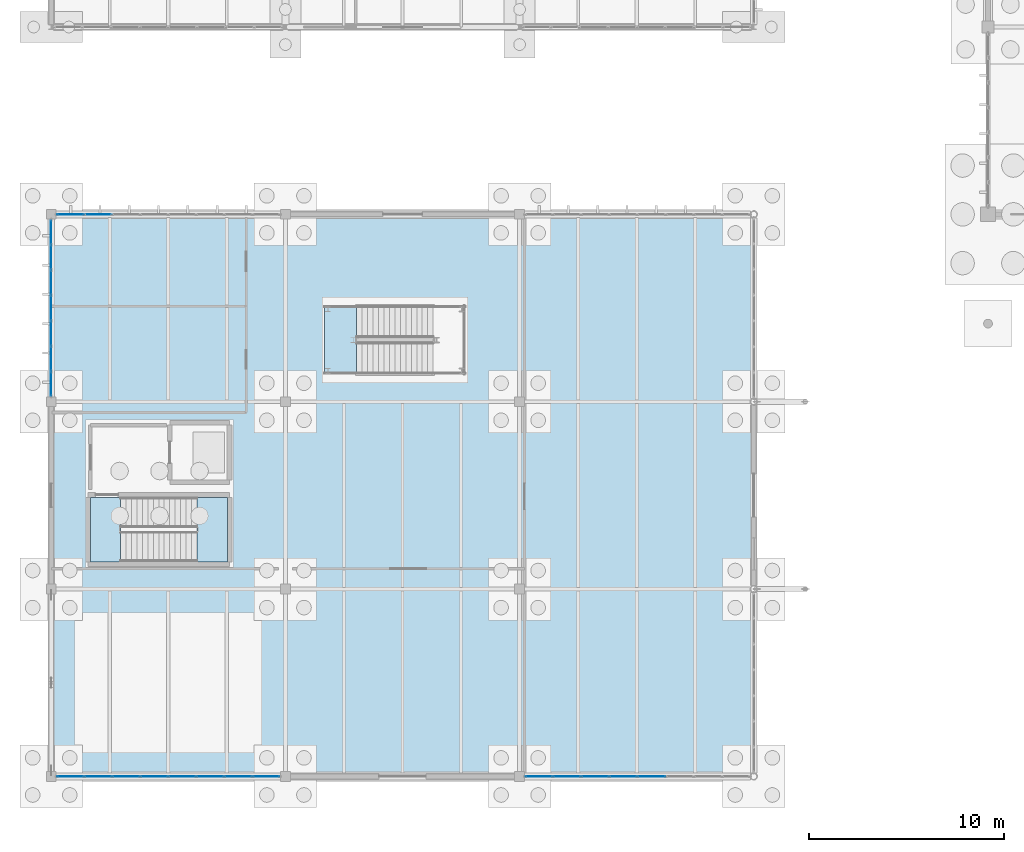
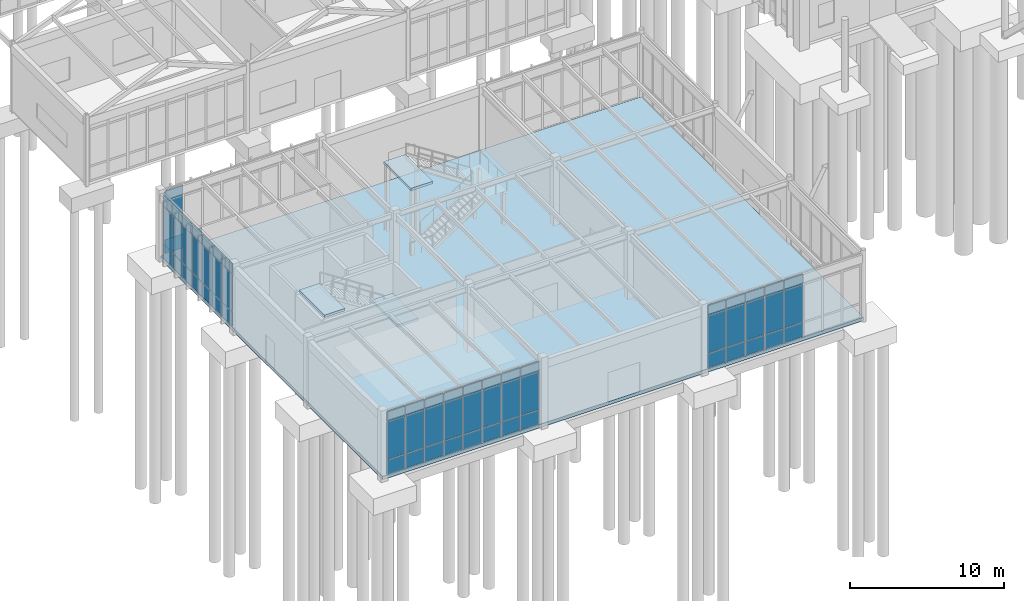
# One storey, part 128 of 188: 64 plates, 4 slabs, 6 elements without a shape of their own.
"""IFC4 building model written with IfcOpenShell, lengths in metres."""

from ifc_helpers import new_model, si_unit, direction, frame, origin, origin_2d, place, context, subcontext, project, spatial, polyline, rectangle, outline, extrude, material, layer, layer_set, type_object, element, aggregate, save


model = new_model("IFC4")

# Units and contexts
model_context = context("Model", 3, precision=1e-05, world=origin(), true_north=direction((0.0, 1.0)))
body_context = subcontext(model_context, "Body", "Model", "MODEL_VIEW")
ifc_project = project(units=[si_unit("LENGTHUNIT", "METRE"), si_unit("AREAUNIT", "SQUARE_METRE"), si_unit("VOLUMEUNIT", "CUBIC_METRE"), si_unit("PLANEANGLEUNIT", "RADIAN"), si_unit("MASSUNIT", "GRAM", prefix="KILO")], contexts=[model_context])

# Site, building, storey
site_placement = place(None, origin())
site = spatial("IfcSite", under=ifc_project, at=site_placement, CompositionType="ELEMENT")
building_placement = place(site_placement, origin())
building = spatial("IfcBuilding", under=site, at=building_placement, Name="Pandanus Reach Market Hall", CompositionType="ELEMENT")
storey_placement = place(building_placement, origin())
storey = spatial("IfcBuildingStorey", under=building, at=storey_placement, Name="L00", CompositionType="ELEMENT", Elevation=0.0)

# Curtain wall, plates
ifc_material_1 = material(Name="Bronze anodised aluminium and low-E glass", Category="aluminium")
ifc_layer_1 = layer(ifc_material_1, 0.159912109375, Name="CW-09")
ifc_layer_set_1 = layer_set([ifc_layer_1], Name="Bronze anodised aluminium and low-E glass")
curtain_wall_type_1 = type_object("IfcCurtainWallType", Name="CW-09", PredefinedType="NOTDEFINED", material=ifc_layer_set_1)
curtain_wall_1_placement = place(storey_placement, origin())
curtain_wall_1 = element("IfcCurtainWall", 1, at=curtain_wall_1_placement, inside=storey, type_object=curtain_wall_type_1, Name="Glazed curtain wall CW-09 CW-0047", PredefinedType="NOTDEFINED")
ifc_material_2 = material(Name="Solar-control double glazing", Category="glass")
ifc_layer_2 = layer(ifc_material_2, 0.028076171875, Name="CW-P1")
ifc_layer_set_2 = layer_set([ifc_layer_2], Name="Solar-control double glazing")
plate_type = type_object("IfcPlateType", Name="CW-P1", PredefinedType="CURTAIN_PANEL", material=ifc_layer_set_2)
plate_1_placement = place(storey_placement, frame((0.985107421875, 0.0, 0.06494140625), z_axis=(0.0, 0.0, 1.0), x_axis=(1.0, 0.0, 0.0)))
plate_1 = element("IfcPlate", 2, at=plate_1_placement, type_object=plate_type, Name="CW-09 panel 1.1", PredefinedType="CURTAIN_PANEL", context=body_context, shape_type="SweptSolid", body=[
    extrude(rectangle(XDim=1.340087890625, YDim=0.028076171875, at=origin_2d()), origin(), (0.0, 0.0, 1.0), 1.1025390625),
])
plate_2_placement = place(storey_placement, frame((0.985107421875, 0.0, 1.232421875), z_axis=(0.0, 0.0, 1.0), x_axis=(1.0, 0.0, 0.0)))
plate_2 = element("IfcPlate", 3, at=plate_2_placement, type_object=plate_type, Name="CW-09 panel 1.2", PredefinedType="CURTAIN_PANEL", context=body_context, shape_type="SweptSolid", body=[
    extrude(rectangle(XDim=1.340087890625, YDim=0.028076171875, at=origin_2d()), origin(), (0.0, 0.0, 1.0), 2.93505859375),
])
plate_3_placement = place(storey_placement, frame((0.985107421875, 0.0, 4.232421875), z_axis=(0.0, 0.0, 1.0), x_axis=(1.0, 0.0, 0.0)))
plate_3 = element("IfcPlate", 4, at=plate_3_placement, type_object=plate_type, Name="CW-09 panel 1.3", PredefinedType="CURTAIN_PANEL", context=body_context, shape_type="SweptSolid", body=[
    extrude(rectangle(XDim=1.340087890625, YDim=0.028076171875, at=origin_2d()), origin(), (0.0, 0.0, 1.0), 0.802490234375),
])
plate_4_placement = place(storey_placement, frame((2.40625, 0.0, 0.06494140625), z_axis=(0.0, 0.0, 1.0), x_axis=(1.0, 0.0, 0.0)))
plate_4 = element("IfcPlate", 5, at=plate_4_placement, type_object=plate_type, Name="CW-09 panel 2.1", PredefinedType="CURTAIN_PANEL", context=body_context, shape_type="SweptSolid", body=[
    extrude(rectangle(XDim=1.37255859375, YDim=0.028076171875, at=origin_2d()), origin(), (0.0, 0.0, 1.0), 1.1025390625),
])
plate_5_placement = place(storey_placement, frame((2.40625, 0.0, 1.232421875), z_axis=(0.0, 0.0, 1.0), x_axis=(1.0, 0.0, 0.0)))
plate_5 = element("IfcPlate", 6, at=plate_5_placement, type_object=plate_type, Name="CW-09 panel 2.2", PredefinedType="CURTAIN_PANEL", context=body_context, shape_type="SweptSolid", body=[
    extrude(rectangle(XDim=1.37255859375, YDim=0.028076171875, at=origin_2d()), origin(), (0.0, 0.0, 1.0), 2.93505859375),
])
plate_6_placement = place(storey_placement, frame((2.40625, 0.0, 4.232421875), z_axis=(0.0, 0.0, 1.0), x_axis=(1.0, 0.0, 0.0)))
plate_6 = element("IfcPlate", 7, at=plate_6_placement, type_object=plate_type, Name="CW-09 panel 2.3", PredefinedType="CURTAIN_PANEL", context=body_context, shape_type="SweptSolid", body=[
    extrude(rectangle(XDim=1.37255859375, YDim=0.028076171875, at=origin_2d()), origin(), (0.0, 0.0, 1.0), 0.802490234375),
])
plate_7_placement = place(storey_placement, frame((3.84375, 0.0, 0.06494140625), z_axis=(0.0, 0.0, 1.0), x_axis=(1.0, 0.0, 0.0)))
plate_7 = element("IfcPlate", 8, at=plate_7_placement, type_object=plate_type, Name="CW-09 panel 3.1", PredefinedType="CURTAIN_PANEL", context=body_context, shape_type="SweptSolid", body=[
    extrude(rectangle(XDim=1.37255859375, YDim=0.028076171875, at=origin_2d()), origin(), (0.0, 0.0, 1.0), 1.1025390625),
])
plate_8_placement = place(storey_placement, frame((3.84375, 0.0, 1.232421875), z_axis=(0.0, 0.0, 1.0), x_axis=(1.0, 0.0, 0.0)))
plate_8 = element("IfcPlate", 9, at=plate_8_placement, type_object=plate_type, Name="CW-09 panel 3.2", PredefinedType="CURTAIN_PANEL", context=body_context, shape_type="SweptSolid", body=[
    extrude(rectangle(XDim=1.37255859375, YDim=0.028076171875, at=origin_2d()), origin(), (0.0, 0.0, 1.0), 2.93505859375),
])
plate_9_placement = place(storey_placement, frame((3.84375, 0.0, 4.232421875), z_axis=(0.0, 0.0, 1.0), x_axis=(1.0, 0.0, 0.0)))
plate_9 = element("IfcPlate", 10, at=plate_9_placement, type_object=plate_type, Name="CW-09 panel 3.3", PredefinedType="CURTAIN_PANEL", context=body_context, shape_type="SweptSolid", body=[
    extrude(rectangle(XDim=1.37255859375, YDim=0.028076171875, at=origin_2d()), origin(), (0.0, 0.0, 1.0), 0.802490234375),
])
plate_10_placement = place(storey_placement, frame((5.28125, 0.0, 0.06494140625), z_axis=(0.0, 0.0, 1.0), x_axis=(1.0, 0.0, 0.0)))
plate_10 = element("IfcPlate", 11, at=plate_10_placement, type_object=plate_type, Name="CW-09 panel 4.1", PredefinedType="CURTAIN_PANEL", context=body_context, shape_type="SweptSolid", body=[
    extrude(rectangle(XDim=1.37255859375, YDim=0.028076171875, at=origin_2d()), origin(), (0.0, 0.0, 1.0), 1.1025390625),
])
plate_11_placement = place(storey_placement, frame((5.28125, 0.0, 1.232421875), z_axis=(0.0, 0.0, 1.0), x_axis=(1.0, 0.0, 0.0)))
plate_11 = element("IfcPlate", 12, at=plate_11_placement, type_object=plate_type, Name="CW-09 panel 4.2", PredefinedType="CURTAIN_PANEL", context=body_context, shape_type="SweptSolid", body=[
    extrude(rectangle(XDim=1.37255859375, YDim=0.028076171875, at=origin_2d()), origin(), (0.0, 0.0, 1.0), 2.93505859375),
])
plate_12_placement = place(storey_placement, frame((5.28125, 0.0, 4.232421875), z_axis=(0.0, 0.0, 1.0), x_axis=(1.0, 0.0, 0.0)))
plate_12 = element("IfcPlate", 13, at=plate_12_placement, type_object=plate_type, Name="CW-09 panel 4.3", PredefinedType="CURTAIN_PANEL", context=body_context, shape_type="SweptSolid", body=[
    extrude(rectangle(XDim=1.37255859375, YDim=0.028076171875, at=origin_2d()), origin(), (0.0, 0.0, 1.0), 0.802490234375),
])
plate_13_placement = place(storey_placement, frame((6.71875, 0.0, 0.06494140625), z_axis=(0.0, 0.0, 1.0), x_axis=(1.0, 0.0, 0.0)))
plate_13 = element("IfcPlate", 14, at=plate_13_placement, type_object=plate_type, Name="CW-09 panel 5.1", PredefinedType="CURTAIN_PANEL", context=body_context, shape_type="SweptSolid", body=[
    extrude(rectangle(XDim=1.37255859375, YDim=0.028076171875, at=origin_2d()), origin(), (0.0, 0.0, 1.0), 1.1025390625),
])
plate_14_placement = place(storey_placement, frame((6.71875, 0.0, 1.232421875), z_axis=(0.0, 0.0, 1.0), x_axis=(1.0, 0.0, 0.0)))
plate_14 = element("IfcPlate", 15, at=plate_14_placement, type_object=plate_type, Name="CW-09 panel 5.2", PredefinedType="CURTAIN_PANEL", context=body_context, shape_type="SweptSolid", body=[
    extrude(rectangle(XDim=1.37255859375, YDim=0.028076171875, at=origin_2d()), origin(), (0.0, 0.0, 1.0), 2.93505859375),
])
plate_15_placement = place(storey_placement, frame((6.71875, 0.0, 4.232421875), z_axis=(0.0, 0.0, 1.0), x_axis=(1.0, 0.0, 0.0)))
plate_15 = element("IfcPlate", 16, at=plate_15_placement, type_object=plate_type, Name="CW-09 panel 5.3", PredefinedType="CURTAIN_PANEL", context=body_context, shape_type="SweptSolid", body=[
    extrude(rectangle(XDim=1.37255859375, YDim=0.028076171875, at=origin_2d()), origin(), (0.0, 0.0, 1.0), 0.802490234375),
])
plate_16_placement = place(storey_placement, frame((8.15625, 0.0, 0.06494140625), z_axis=(0.0, 0.0, 1.0), x_axis=(1.0, 0.0, 0.0)))
plate_16 = element("IfcPlate", 17, at=plate_16_placement, type_object=plate_type, Name="CW-09 panel 6.1", PredefinedType="CURTAIN_PANEL", context=body_context, shape_type="SweptSolid", body=[
    extrude(rectangle(XDim=1.37255859375, YDim=0.028076171875, at=origin_2d()), origin(), (0.0, 0.0, 1.0), 1.1025390625),
])
plate_17_placement = place(storey_placement, frame((8.15625, 0.0, 1.232421875), z_axis=(0.0, 0.0, 1.0), x_axis=(1.0, 0.0, 0.0)))
plate_17 = element("IfcPlate", 18, at=plate_17_placement, type_object=plate_type, Name="CW-09 panel 6.2", PredefinedType="CURTAIN_PANEL", context=body_context, shape_type="SweptSolid", body=[
    extrude(rectangle(XDim=1.37255859375, YDim=0.028076171875, at=origin_2d()), origin(), (0.0, 0.0, 1.0), 2.93505859375),
])
plate_18_placement = place(storey_placement, frame((8.15625, 0.0, 4.232421875), z_axis=(0.0, 0.0, 1.0), x_axis=(1.0, 0.0, 0.0)))
plate_18 = element("IfcPlate", 19, at=plate_18_placement, type_object=plate_type, Name="CW-09 panel 6.3", PredefinedType="CURTAIN_PANEL", context=body_context, shape_type="SweptSolid", body=[
    extrude(rectangle(XDim=1.37255859375, YDim=0.028076171875, at=origin_2d()), origin(), (0.0, 0.0, 1.0), 0.802490234375),
])
plate_19_placement = place(storey_placement, frame((9.59375, 0.0, 0.06494140625), z_axis=(0.0, 0.0, 1.0), x_axis=(1.0, 0.0, 0.0)))
plate_19 = element("IfcPlate", 20, at=plate_19_placement, type_object=plate_type, Name="CW-09 panel 7.1", PredefinedType="CURTAIN_PANEL", context=body_context, shape_type="SweptSolid", body=[
    extrude(rectangle(XDim=1.37255859375, YDim=0.028076171875, at=origin_2d()), origin(), (0.0, 0.0, 1.0), 1.1025390625),
])
plate_20_placement = place(storey_placement, frame((9.59375, 0.0, 1.232421875), z_axis=(0.0, 0.0, 1.0), x_axis=(1.0, 0.0, 0.0)))
plate_20 = element("IfcPlate", 21, at=plate_20_placement, type_object=plate_type, Name="CW-09 panel 7.2", PredefinedType="CURTAIN_PANEL", context=body_context, shape_type="SweptSolid", body=[
    extrude(rectangle(XDim=1.37255859375, YDim=0.028076171875, at=origin_2d()), origin(), (0.0, 0.0, 1.0), 2.93505859375),
])
plate_21_placement = place(storey_placement, frame((9.59375, 0.0, 4.232421875), z_axis=(0.0, 0.0, 1.0), x_axis=(1.0, 0.0, 0.0)))
plate_21 = element("IfcPlate", 22, at=plate_21_placement, type_object=plate_type, Name="CW-09 panel 7.3", PredefinedType="CURTAIN_PANEL", context=body_context, shape_type="SweptSolid", body=[
    extrude(rectangle(XDim=1.37255859375, YDim=0.028076171875, at=origin_2d()), origin(), (0.0, 0.0, 1.0), 0.802490234375),
])
plate_22_placement = place(storey_placement, frame((11.014892578125, 0.0, 0.06494140625), z_axis=(0.0, 0.0, 1.0), x_axis=(1.0, 0.0, 0.0)))
plate_22 = element("IfcPlate", 23, at=plate_22_placement, type_object=plate_type, Name="CW-09 panel 8.1", PredefinedType="CURTAIN_PANEL", context=body_context, shape_type="SweptSolid", body=[
    extrude(rectangle(XDim=1.340087890625, YDim=0.028076171875, at=origin_2d()), origin(), (0.0, 0.0, 1.0), 1.1025390625),
])
plate_23_placement = place(storey_placement, frame((11.014892578125, 0.0, 1.232421875), z_axis=(0.0, 0.0, 1.0), x_axis=(1.0, 0.0, 0.0)))
plate_23 = element("IfcPlate", 24, at=plate_23_placement, type_object=plate_type, Name="CW-09 panel 8.2", PredefinedType="CURTAIN_PANEL", context=body_context, shape_type="SweptSolid", body=[
    extrude(rectangle(XDim=1.340087890625, YDim=0.028076171875, at=origin_2d()), origin(), (0.0, 0.0, 1.0), 2.93505859375),
])
plate_24_placement = place(storey_placement, frame((11.014892578125, 0.0, 4.232421875), z_axis=(0.0, 0.0, 1.0), x_axis=(1.0, 0.0, 0.0)))
plate_24 = element("IfcPlate", 25, at=plate_24_placement, type_object=plate_type, Name="CW-09 panel 8.3", PredefinedType="CURTAIN_PANEL", context=body_context, shape_type="SweptSolid", body=[
    extrude(rectangle(XDim=1.340087890625, YDim=0.028076171875, at=origin_2d()), origin(), (0.0, 0.0, 1.0), 0.802490234375),
])
aggregate(curtain_wall_1, [plate_1, plate_2, plate_3, plate_4, plate_5, plate_6, plate_7, plate_8, plate_9, plate_10, plate_11, plate_12, plate_13, plate_14, plate_15, plate_16, plate_17, plate_18, plate_19, plate_20, plate_21, plate_22, plate_23, plate_24])

ifc_layer_3 = layer(ifc_material_1, 0.159912109375, Name="CW-10")
ifc_layer_set_3 = layer_set([ifc_layer_3], Name="Bronze anodised aluminium and low-E glass")
curtain_wall_type_2 = type_object("IfcCurtainWallType", Name="CW-10", PredefinedType="NOTDEFINED", material=ifc_layer_set_3)
curtain_wall_2_placement = place(storey_placement, origin())
curtain_wall_2 = element("IfcCurtainWall", 26, at=curtain_wall_2_placement, inside=storey, type_object=curtain_wall_type_2, Name="Glazed curtain wall CW-10 CW-0048", PredefinedType="NOTDEFINED")
plate_25_placement = place(storey_placement, frame((24.989501953125, 0.0, 0.06494140625), z_axis=(0.0, 0.0, 1.0), x_axis=(1.0, 0.0, 0.0)))
plate_25 = element("IfcPlate", 27, at=plate_25_placement, type_object=plate_type, Name="CW-10 panel 1.1", PredefinedType="CURTAIN_PANEL", context=body_context, shape_type="SweptSolid", body=[
    extrude(rectangle(XDim=1.34912109375, YDim=0.028076171875, at=origin_2d()), origin(), (0.0, 0.0, 1.0), 1.1025390625),
])
plate_26_placement = place(storey_placement, frame((24.989501953125, 0.0, 1.232421875), z_axis=(0.0, 0.0, 1.0), x_axis=(1.0, 0.0, 0.0)))
plate_26 = element("IfcPlate", 28, at=plate_26_placement, type_object=plate_type, Name="CW-10 panel 1.2", PredefinedType="CURTAIN_PANEL", context=body_context, shape_type="SweptSolid", body=[
    extrude(rectangle(XDim=1.34912109375, YDim=0.028076171875, at=origin_2d()), origin(), (0.0, 0.0, 1.0), 2.93505859375),
])
plate_27_placement = place(storey_placement, frame((24.989501953125, 0.0, 4.232421875), z_axis=(0.0, 0.0, 1.0), x_axis=(1.0, 0.0, 0.0)))
plate_27 = element("IfcPlate", 29, at=plate_27_placement, type_object=plate_type, Name="CW-10 panel 1.3", PredefinedType="CURTAIN_PANEL", context=body_context, shape_type="SweptSolid", body=[
    extrude(rectangle(XDim=1.34912109375, YDim=0.028076171875, at=origin_2d()), origin(), (0.0, 0.0, 1.0), 0.802490234375),
])
plate_28_placement = place(storey_placement, frame((26.419677734375, 0.0, 0.06494140625), z_axis=(0.0, 0.0, 1.0), x_axis=(1.0, 0.0, 0.0)))
plate_28 = element("IfcPlate", 30, at=plate_28_placement, type_object=plate_type, Name="CW-10 panel 2.1", PredefinedType="CURTAIN_PANEL", context=body_context, shape_type="SweptSolid", body=[
    extrude(rectangle(XDim=1.381591796875, YDim=0.028076171875, at=origin_2d()), origin(), (0.0, 0.0, 1.0), 1.1025390625),
])
plate_29_placement = place(storey_placement, frame((26.419677734375, 0.0, 1.232421875), z_axis=(0.0, 0.0, 1.0), x_axis=(1.0, 0.0, 0.0)))
plate_29 = element("IfcPlate", 31, at=plate_29_placement, type_object=plate_type, Name="CW-10 panel 2.2", PredefinedType="CURTAIN_PANEL", context=body_context, shape_type="SweptSolid", body=[
    extrude(rectangle(XDim=1.381591796875, YDim=0.028076171875, at=origin_2d()), origin(), (0.0, 0.0, 1.0), 2.93505859375),
])
plate_30_placement = place(storey_placement, frame((26.419677734375, 0.0, 4.232421875), z_axis=(0.0, 0.0, 1.0), x_axis=(1.0, 0.0, 0.0)))
plate_30 = element("IfcPlate", 32, at=plate_30_placement, type_object=plate_type, Name="CW-10 panel 2.3", PredefinedType="CURTAIN_PANEL", context=body_context, shape_type="SweptSolid", body=[
    extrude(rectangle(XDim=1.381591796875, YDim=0.028076171875, at=origin_2d()), origin(), (0.0, 0.0, 1.0), 0.802490234375),
])
plate_31_placement = place(storey_placement, frame((27.8662109375, 0.0, 0.06494140625), z_axis=(0.0, 0.0, 1.0), x_axis=(1.0, 0.0, 0.0)))
plate_31 = element("IfcPlate", 33, at=plate_31_placement, type_object=plate_type, Name="CW-10 panel 3.1", PredefinedType="CURTAIN_PANEL", context=body_context, shape_type="SweptSolid", body=[
    extrude(rectangle(XDim=1.381591796875, YDim=0.028076171875, at=origin_2d()), origin(), (0.0, 0.0, 1.0), 1.1025390625),
])
plate_32_placement = place(storey_placement, frame((27.8662109375, 0.0, 1.232421875), z_axis=(0.0, 0.0, 1.0), x_axis=(1.0, 0.0, 0.0)))
plate_32 = element("IfcPlate", 34, at=plate_32_placement, type_object=plate_type, Name="CW-10 panel 3.2", PredefinedType="CURTAIN_PANEL", context=body_context, shape_type="SweptSolid", body=[
    extrude(rectangle(XDim=1.381591796875, YDim=0.028076171875, at=origin_2d()), origin(), (0.0, 0.0, 1.0), 2.93505859375),
])
plate_33_placement = place(storey_placement, frame((27.8662109375, 0.0, 4.232421875), z_axis=(0.0, 0.0, 1.0), x_axis=(1.0, 0.0, 0.0)))
plate_33 = element("IfcPlate", 35, at=plate_33_placement, type_object=plate_type, Name="CW-10 panel 3.3", PredefinedType="CURTAIN_PANEL", context=body_context, shape_type="SweptSolid", body=[
    extrude(rectangle(XDim=1.381591796875, YDim=0.028076171875, at=origin_2d()), origin(), (0.0, 0.0, 1.0), 0.802490234375),
])
plate_34_placement = place(storey_placement, frame((29.312744140625, 0.0, 0.06494140625), z_axis=(0.0, 0.0, 1.0), x_axis=(1.0, 0.0, 0.0)))
plate_34 = element("IfcPlate", 36, at=plate_34_placement, type_object=plate_type, Name="CW-10 panel 4.1", PredefinedType="CURTAIN_PANEL", context=body_context, shape_type="SweptSolid", body=[
    extrude(rectangle(XDim=1.381591796875, YDim=0.028076171875, at=origin_2d()), origin(), (0.0, 0.0, 1.0), 1.1025390625),
])
plate_35_placement = place(storey_placement, frame((29.312744140625, 0.0, 1.232421875), z_axis=(0.0, 0.0, 1.0), x_axis=(1.0, 0.0, 0.0)))
plate_35 = element("IfcPlate", 37, at=plate_35_placement, type_object=plate_type, Name="CW-10 panel 4.2", PredefinedType="CURTAIN_PANEL", context=body_context, shape_type="SweptSolid", body=[
    extrude(rectangle(XDim=1.381591796875, YDim=0.028076171875, at=origin_2d()), origin(), (0.0, 0.0, 1.0), 2.93505859375),
])
plate_36_placement = place(storey_placement, frame((29.312744140625, 0.0, 4.232421875), z_axis=(0.0, 0.0, 1.0), x_axis=(1.0, 0.0, 0.0)))
plate_36 = element("IfcPlate", 38, at=plate_36_placement, type_object=plate_type, Name="CW-10 panel 4.3", PredefinedType="CURTAIN_PANEL", context=body_context, shape_type="SweptSolid", body=[
    extrude(rectangle(XDim=1.381591796875, YDim=0.028076171875, at=origin_2d()), origin(), (0.0, 0.0, 1.0), 0.802490234375),
])
plate_37_placement = place(storey_placement, frame((30.75927734375, 0.0, 0.06494140625), z_axis=(0.0, 0.0, 1.0), x_axis=(1.0, 0.0, 0.0)))
plate_37 = element("IfcPlate", 39, at=plate_37_placement, type_object=plate_type, Name="CW-10 panel 5.1", PredefinedType="CURTAIN_PANEL", context=body_context, shape_type="SweptSolid", body=[
    extrude(rectangle(XDim=1.381591796875, YDim=0.028076171875, at=origin_2d()), origin(), (0.0, 0.0, 1.0), 1.1025390625),
])
plate_38_placement = place(storey_placement, frame((30.75927734375, 0.0, 1.232421875), z_axis=(0.0, 0.0, 1.0), x_axis=(1.0, 0.0, 0.0)))
plate_38 = element("IfcPlate", 40, at=plate_38_placement, type_object=plate_type, Name="CW-10 panel 5.2", PredefinedType="CURTAIN_PANEL", context=body_context, shape_type="SweptSolid", body=[
    extrude(rectangle(XDim=1.381591796875, YDim=0.028076171875, at=origin_2d()), origin(), (0.0, 0.0, 1.0), 2.93505859375),
])
plate_39_placement = place(storey_placement, frame((30.75927734375, 0.0, 4.232421875), z_axis=(0.0, 0.0, 1.0), x_axis=(1.0, 0.0, 0.0)))
plate_39 = element("IfcPlate", 41, at=plate_39_placement, type_object=plate_type, Name="CW-10 panel 5.3", PredefinedType="CURTAIN_PANEL", context=body_context, shape_type="SweptSolid", body=[
    extrude(rectangle(XDim=1.381591796875, YDim=0.028076171875, at=origin_2d()), origin(), (0.0, 0.0, 1.0), 0.802490234375),
])
aggregate(curtain_wall_2, [plate_25, plate_26, plate_27, plate_28, plate_29, plate_30, plate_31, plate_32, plate_33, plate_34, plate_35, plate_36, plate_37, plate_38, plate_39])

ifc_layer_4 = layer(ifc_material_1, 0.159912109375, Name="CW-11")
ifc_layer_set_4 = layer_set([ifc_layer_4], Name="Bronze anodised aluminium and low-E glass")
curtain_wall_type_3 = type_object("IfcCurtainWallType", Name="CW-11", PredefinedType="NOTDEFINED", material=ifc_layer_set_4)
curtain_wall_3_placement = place(storey_placement, origin())
curtain_wall_3 = element("IfcCurtainWall", 42, at=curtain_wall_3_placement, inside=storey, type_object=curtain_wall_type_3, Name="Glazed curtain wall CW-11 CW-0049", PredefinedType="NOTDEFINED")
plate_40_placement = place(storey_placement, frame((0.985107421875, 28.800048828125, 0.06494140625), z_axis=(0.0, 0.0, 1.0), x_axis=(1.0, 0.0, 0.0)))
plate_40 = element("IfcPlate", 43, at=plate_40_placement, type_object=plate_type, Name="CW-11 panel 1.1", PredefinedType="CURTAIN_PANEL", context=body_context, shape_type="SweptSolid", body=[
    extrude(rectangle(XDim=1.340087890625, YDim=0.028076171875, at=origin_2d()), origin(), (0.0, 0.0, 1.0), 1.1025390625),
])
plate_41_placement = place(storey_placement, frame((0.985107421875, 28.800048828125, 1.232421875), z_axis=(0.0, 0.0, 1.0), x_axis=(1.0, 0.0, 0.0)))
plate_41 = element("IfcPlate", 44, at=plate_41_placement, type_object=plate_type, Name="CW-11 panel 1.2", PredefinedType="CURTAIN_PANEL", context=body_context, shape_type="SweptSolid", body=[
    extrude(rectangle(XDim=1.340087890625, YDim=0.028076171875, at=origin_2d()), origin(), (0.0, 0.0, 1.0), 2.93505859375),
])
plate_42_placement = place(storey_placement, frame((0.985107421875, 28.800048828125, 4.232421875), z_axis=(0.0, 0.0, 1.0), x_axis=(1.0, 0.0, 0.0)))
plate_42 = element("IfcPlate", 45, at=plate_42_placement, type_object=plate_type, Name="CW-11 panel 1.3", PredefinedType="CURTAIN_PANEL", context=body_context, shape_type="SweptSolid", body=[
    extrude(rectangle(XDim=1.340087890625, YDim=0.028076171875, at=origin_2d()), origin(), (0.0, 0.0, 1.0), 0.802490234375),
])
plate_43_placement = place(storey_placement, frame((2.40625, 28.800048828125, 0.06494140625), z_axis=(0.0, 0.0, 1.0), x_axis=(1.0, 0.0, 0.0)))
plate_43 = element("IfcPlate", 46, at=plate_43_placement, type_object=plate_type, Name="CW-11 panel 2.1", PredefinedType="CURTAIN_PANEL", context=body_context, shape_type="SweptSolid", body=[
    extrude(rectangle(XDim=1.37255859375, YDim=0.028076171875, at=origin_2d()), origin(), (0.0, 0.0, 1.0), 1.1025390625),
])
aggregate(curtain_wall_3, [plate_40, plate_41, plate_42, plate_43])

ifc_layer_5 = layer(ifc_material_1, 0.159912109375, Name="CW-13")
ifc_layer_set_5 = layer_set([ifc_layer_5], Name="Bronze anodised aluminium and low-E glass")
curtain_wall_type_4 = type_object("IfcCurtainWallType", Name="CW-13", PredefinedType="NOTDEFINED", material=ifc_layer_set_5)
curtain_wall_4_placement = place(storey_placement, origin())
curtain_wall_4 = element("IfcCurtainWall", 47, at=curtain_wall_4_placement, inside=storey, type_object=curtain_wall_type_4, Name="Glazed curtain wall CW-13 CW-0051", PredefinedType="NOTDEFINED")
plate_44_placement = place(storey_placement, frame((0.0, 20.1162109375, 0.06494140625), z_axis=(0.0, 0.0, 1.0), x_axis=(0.0, 1.0, 0.0)))
plate_44 = element("IfcPlate", 48, at=plate_44_placement, type_object=plate_type, Name="CW-13 panel 1.1", PredefinedType="CURTAIN_PANEL", context=body_context, shape_type="SweptSolid", body=[
    extrude(rectangle(XDim=1.202392578125, YDim=0.028076171875, at=origin_2d()), origin(), (0.0, 0.0, 1.0), 1.1025390625),
])
plate_45_placement = place(storey_placement, frame((0.0, 20.1162109375, 1.232421875), z_axis=(0.0, 0.0, 1.0), x_axis=(0.0, 1.0, 0.0)))
plate_45 = element("IfcPlate", 49, at=plate_45_placement, type_object=plate_type, Name="CW-13 panel 1.2", PredefinedType="CURTAIN_PANEL", context=body_context, shape_type="SweptSolid", body=[
    extrude(rectangle(XDim=1.202392578125, YDim=0.028076171875, at=origin_2d()), origin(), (0.0, 0.0, 1.0), 2.93505859375),
])
plate_46_placement = place(storey_placement, frame((0.0, 20.1162109375, 4.232421875), z_axis=(0.0, 0.0, 1.0), x_axis=(0.0, 1.0, 0.0)))
plate_46 = element("IfcPlate", 50, at=plate_46_placement, type_object=plate_type, Name="CW-13 panel 1.3", PredefinedType="CURTAIN_PANEL", context=body_context, shape_type="SweptSolid", body=[
    extrude(rectangle(XDim=1.202392578125, YDim=0.028076171875, at=origin_2d()), origin(), (0.0, 0.0, 1.0), 0.802490234375),
])
plate_47_placement = place(storey_placement, frame((0.0, 21.39990234375, 0.06494140625), z_axis=(0.0, 0.0, 1.0), x_axis=(0.0, 1.0, 0.0)))
plate_47 = element("IfcPlate", 51, at=plate_47_placement, type_object=plate_type, Name="CW-13 panel 2.1", PredefinedType="CURTAIN_PANEL", context=body_context, shape_type="SweptSolid", body=[
    extrude(rectangle(XDim=1.235107421875, YDim=0.028076171875, at=origin_2d()), origin(), (0.0, 0.0, 1.0), 1.1025390625),
])
plate_48_placement = place(storey_placement, frame((0.0, 21.39990234375, 1.232421875), z_axis=(0.0, 0.0, 1.0), x_axis=(0.0, 1.0, 0.0)))
plate_48 = element("IfcPlate", 52, at=plate_48_placement, type_object=plate_type, Name="CW-13 panel 2.2", PredefinedType="CURTAIN_PANEL", context=body_context, shape_type="SweptSolid", body=[
    extrude(rectangle(XDim=1.235107421875, YDim=0.028076171875, at=origin_2d()), origin(), (0.0, 0.0, 1.0), 2.93505859375),
])
plate_49_placement = place(storey_placement, frame((0.0, 21.39990234375, 4.232421875), z_axis=(0.0, 0.0, 1.0), x_axis=(0.0, 1.0, 0.0)))
plate_49 = element("IfcPlate", 53, at=plate_49_placement, type_object=plate_type, Name="CW-13 panel 2.3", PredefinedType="CURTAIN_PANEL", context=body_context, shape_type="SweptSolid", body=[
    extrude(rectangle(XDim=1.235107421875, YDim=0.028076171875, at=origin_2d()), origin(), (0.0, 0.0, 1.0), 0.802490234375),
])
plate_50_placement = place(storey_placement, frame((0.0, 22.699951171875, 0.06494140625), z_axis=(0.0, 0.0, 1.0), x_axis=(0.0, 1.0, 0.0)))
plate_50 = element("IfcPlate", 54, at=plate_50_placement, type_object=plate_type, Name="CW-13 panel 3.1", PredefinedType="CURTAIN_PANEL", context=body_context, shape_type="SweptSolid", body=[
    extrude(rectangle(XDim=1.235107421875, YDim=0.028076171875, at=origin_2d()), origin(), (0.0, 0.0, 1.0), 1.1025390625),
])
plate_51_placement = place(storey_placement, frame((0.0, 22.699951171875, 1.232421875), z_axis=(0.0, 0.0, 1.0), x_axis=(0.0, 1.0, 0.0)))
plate_51 = element("IfcPlate", 55, at=plate_51_placement, type_object=plate_type, Name="CW-13 panel 3.2", PredefinedType="CURTAIN_PANEL", context=body_context, shape_type="SweptSolid", body=[
    extrude(rectangle(XDim=1.235107421875, YDim=0.028076171875, at=origin_2d()), origin(), (0.0, 0.0, 1.0), 2.93505859375),
])
plate_52_placement = place(storey_placement, frame((0.0, 22.699951171875, 4.232421875), z_axis=(0.0, 0.0, 1.0), x_axis=(0.0, 1.0, 0.0)))
plate_52 = element("IfcPlate", 56, at=plate_52_placement, type_object=plate_type, Name="CW-13 panel 3.3", PredefinedType="CURTAIN_PANEL", context=body_context, shape_type="SweptSolid", body=[
    extrude(rectangle(XDim=1.235107421875, YDim=0.028076171875, at=origin_2d()), origin(), (0.0, 0.0, 1.0), 0.802490234375),
])
plate_53_placement = place(storey_placement, frame((0.0, 24.0, 0.06494140625), z_axis=(0.0, 0.0, 1.0), x_axis=(0.0, 1.0, 0.0)))
plate_53 = element("IfcPlate", 57, at=plate_53_placement, type_object=plate_type, Name="CW-13 panel 4.1", PredefinedType="CURTAIN_PANEL", context=body_context, shape_type="SweptSolid", body=[
    extrude(rectangle(XDim=1.235107421875, YDim=0.028076171875, at=origin_2d()), origin(), (0.0, 0.0, 1.0), 1.1025390625),
])
plate_54_placement = place(storey_placement, frame((0.0, 24.0, 1.232421875), z_axis=(0.0, 0.0, 1.0), x_axis=(0.0, 1.0, 0.0)))
plate_54 = element("IfcPlate", 58, at=plate_54_placement, type_object=plate_type, Name="CW-13 panel 4.2", PredefinedType="CURTAIN_PANEL", context=body_context, shape_type="SweptSolid", body=[
    extrude(rectangle(XDim=1.235107421875, YDim=0.028076171875, at=origin_2d()), origin(), (0.0, 0.0, 1.0), 2.93505859375),
])
plate_55_placement = place(storey_placement, frame((0.0, 24.0, 4.232421875), z_axis=(0.0, 0.0, 1.0), x_axis=(0.0, 1.0, 0.0)))
plate_55 = element("IfcPlate", 59, at=plate_55_placement, type_object=plate_type, Name="CW-13 panel 4.3", PredefinedType="CURTAIN_PANEL", context=body_context, shape_type="SweptSolid", body=[
    extrude(rectangle(XDim=1.235107421875, YDim=0.028076171875, at=origin_2d()), origin(), (0.0, 0.0, 1.0), 0.802490234375),
])
plate_56_placement = place(storey_placement, frame((0.0, 25.300048828125, 0.06494140625), z_axis=(0.0, 0.0, 1.0), x_axis=(0.0, 1.0, 0.0)))
plate_56 = element("IfcPlate", 60, at=plate_56_placement, type_object=plate_type, Name="CW-13 panel 5.1", PredefinedType="CURTAIN_PANEL", context=body_context, shape_type="SweptSolid", body=[
    extrude(rectangle(XDim=1.235107421875, YDim=0.028076171875, at=origin_2d()), origin(), (0.0, 0.0, 1.0), 1.1025390625),
])
plate_57_placement = place(storey_placement, frame((0.0, 25.300048828125, 1.232421875), z_axis=(0.0, 0.0, 1.0), x_axis=(0.0, 1.0, 0.0)))
plate_57 = element("IfcPlate", 61, at=plate_57_placement, type_object=plate_type, Name="CW-13 panel 5.2", PredefinedType="CURTAIN_PANEL", context=body_context, shape_type="SweptSolid", body=[
    extrude(rectangle(XDim=1.235107421875, YDim=0.028076171875, at=origin_2d()), origin(), (0.0, 0.0, 1.0), 2.93505859375),
])
plate_58_placement = place(storey_placement, frame((0.0, 25.300048828125, 4.232421875), z_axis=(0.0, 0.0, 1.0), x_axis=(0.0, 1.0, 0.0)))
plate_58 = element("IfcPlate", 62, at=plate_58_placement, type_object=plate_type, Name="CW-13 panel 5.3", PredefinedType="CURTAIN_PANEL", context=body_context, shape_type="SweptSolid", body=[
    extrude(rectangle(XDim=1.235107421875, YDim=0.028076171875, at=origin_2d()), origin(), (0.0, 0.0, 1.0), 0.802490234375),
])
plate_59_placement = place(storey_placement, frame((0.0, 26.60009765625, 0.06494140625), z_axis=(0.0, 0.0, 1.0), x_axis=(0.0, 1.0, 0.0)))
plate_59 = element("IfcPlate", 63, at=plate_59_placement, type_object=plate_type, Name="CW-13 panel 6.1", PredefinedType="CURTAIN_PANEL", context=body_context, shape_type="SweptSolid", body=[
    extrude(rectangle(XDim=1.235107421875, YDim=0.028076171875, at=origin_2d()), origin(), (0.0, 0.0, 1.0), 1.1025390625),
])
plate_60_placement = place(storey_placement, frame((0.0, 26.60009765625, 1.232421875), z_axis=(0.0, 0.0, 1.0), x_axis=(0.0, 1.0, 0.0)))
plate_60 = element("IfcPlate", 64, at=plate_60_placement, type_object=plate_type, Name="CW-13 panel 6.2", PredefinedType="CURTAIN_PANEL", context=body_context, shape_type="SweptSolid", body=[
    extrude(rectangle(XDim=1.235107421875, YDim=0.028076171875, at=origin_2d()), origin(), (0.0, 0.0, 1.0), 2.93505859375),
])
plate_61_placement = place(storey_placement, frame((0.0, 26.60009765625, 4.232421875), z_axis=(0.0, 0.0, 1.0), x_axis=(0.0, 1.0, 0.0)))
plate_61 = element("IfcPlate", 65, at=plate_61_placement, type_object=plate_type, Name="CW-13 panel 6.3", PredefinedType="CURTAIN_PANEL", context=body_context, shape_type="SweptSolid", body=[
    extrude(rectangle(XDim=1.235107421875, YDim=0.028076171875, at=origin_2d()), origin(), (0.0, 0.0, 1.0), 0.802490234375),
])
plate_62_placement = place(storey_placement, frame((0.0, 27.8837890625, 0.06494140625), z_axis=(0.0, 0.0, 1.0), x_axis=(0.0, 1.0, 0.0)))
plate_62 = element("IfcPlate", 66, at=plate_62_placement, type_object=plate_type, Name="CW-13 panel 7.1", PredefinedType="CURTAIN_PANEL", context=body_context, shape_type="SweptSolid", body=[
    extrude(rectangle(XDim=1.202392578125, YDim=0.028076171875, at=origin_2d()), origin(), (0.0, 0.0, 1.0), 1.1025390625),
])
plate_63_placement = place(storey_placement, frame((0.0, 27.8837890625, 1.232421875), z_axis=(0.0, 0.0, 1.0), x_axis=(0.0, 1.0, 0.0)))
plate_63 = element("IfcPlate", 67, at=plate_63_placement, type_object=plate_type, Name="CW-13 panel 7.2", PredefinedType="CURTAIN_PANEL", context=body_context, shape_type="SweptSolid", body=[
    extrude(rectangle(XDim=1.202392578125, YDim=0.028076171875, at=origin_2d()), origin(), (0.0, 0.0, 1.0), 2.93505859375),
])
plate_64_placement = place(storey_placement, frame((0.0, 27.8837890625, 4.232421875), z_axis=(0.0, 0.0, 1.0), x_axis=(0.0, 1.0, 0.0)))
plate_64 = element("IfcPlate", 68, at=plate_64_placement, type_object=plate_type, Name="CW-13 panel 7.3", PredefinedType="CURTAIN_PANEL", context=body_context, shape_type="SweptSolid", body=[
    extrude(rectangle(XDim=1.202392578125, YDim=0.028076171875, at=origin_2d()), origin(), (0.0, 0.0, 1.0), 0.802490234375),
])
aggregate(curtain_wall_4, [plate_44, plate_45, plate_46, plate_47, plate_48, plate_49, plate_50, plate_51, plate_52, plate_53, plate_54, plate_55, plate_56, plate_57, plate_58, plate_59, plate_60, plate_61, plate_62, plate_63, plate_64])

# Slab
ifc_material_3 = material(Name="Concrete N40 (40 MPa)", Category="concrete")
ifc_layer_6 = layer(ifc_material_3, 0.27001953125, Name="SL-L00-V3")
ifc_layer_set_6 = layer_set([ifc_layer_6], Name="Concrete N40 (40 MPa)")
slab_type_1 = type_object("IfcSlabType", Name="SL-L00-V3", PredefinedType="BASESLAB", material=ifc_layer_set_6)
slab_1_placement = place(storey_placement, frame((0.0, 0.0, -0.27001953125)))
element("IfcSlab", 69, at=slab_1_placement, inside=storey, type_object=slab_type_1, Name="Floor slab SL-L00-V3", PredefinedType="BASESLAB", context=body_context, shape_type="SweptSolid", body=[
    extrude(outline(polyline([(0.0, 0.0), (36.0, 0.0), (36.0, 28.800048828125), (0.0, 28.800048828125), (0.0, 0.0)])), origin(), (0.0, 0.0, 1.0), 0.27001953125),
])

# Stair, slabs
stair_type_1 = type_object("IfcStairType", Name="STR-05", PredefinedType="HALF_TURN_STAIR", material=ifc_material_3)
stair_1_placement = place(storey_placement, origin())
stair_1 = element("IfcStair", 70, at=stair_1_placement, inside=storey, type_object=stair_type_1, Name="Stair ST-04 L00", PredefinedType="HALF_TURN_STAIR")
ifc_layer_7 = layer(ifc_material_3, 0.199951171875, Name="SL-LND-200")
ifc_layer_set_7 = layer_set([ifc_layer_7], Name="Concrete N40 (40 MPa)")
slab_type_2 = type_object("IfcSlabType", Name="SL-LND-200", PredefinedType="LANDING", material=ifc_layer_set_7)
slab_2_placement = place(storey_placement, frame((0.0, 0.0, 2.5)))
slab_2 = element("IfcSlab", 71, at=slab_2_placement, type_object=slab_type_2, Name="STR-05 landing 1", PredefinedType="LANDING", context=body_context, shape_type="SweptSolid", body=[
    extrude(outline(polyline([(7.469970703125, 11.0), (9.02001953125, 11.0), (9.02001953125, 14.300048828125), (7.469970703125, 14.300048828125), (7.469970703125, 11.0)])), origin(), (0.0, 0.0, 1.0), 0.199951171875),
])
slab_3_placement = place(storey_placement, frame((0.0, 0.0, 5.199951171875)))
slab_3 = element("IfcSlab", 72, at=slab_3_placement, type_object=slab_type_2, Name="STR-05 landing 2", PredefinedType="LANDING", context=body_context, shape_type="SweptSolid", body=[
    extrude(outline(polyline([(2.0, 11.0), (3.550048828125, 11.0), (3.550048828125, 14.300048828125), (2.0, 14.300048828125), (2.0, 11.0)])), origin(), (0.0, 0.0, 1.0), 0.199951171875),
])
aggregate(stair_1, [slab_2, slab_3])

# Stair, slab
stair_type_2 = type_object("IfcStairType", Name="STR-08", PredefinedType="HALF_TURN_STAIR", material=ifc_material_3)
stair_2_placement = place(storey_placement, origin())
stair_2 = element("IfcStair", 73, at=stair_2_placement, inside=storey, type_object=stair_type_2, Name="Stair ST-10 L00", PredefinedType="HALF_TURN_STAIR")
slab_4_placement = place(storey_placement, frame((0.0, 0.0, 5.199951171875)))
slab_4 = element("IfcSlab", 74, at=slab_4_placement, type_object=slab_type_2, Name="STR-08 landing 2", PredefinedType="LANDING", context=body_context, shape_type="SweptSolid", body=[
    extrude(outline(polyline([(14.0, 20.60009765625), (15.64990234375, 20.60009765625), (15.64990234375, 24.1201171875), (14.0, 24.1201171875), (14.0, 20.60009765625)])), origin(), (0.0, 0.0, 1.0), 0.199951171875),
])
aggregate(stair_2, [slab_4])

save(model, "model.ifc")
